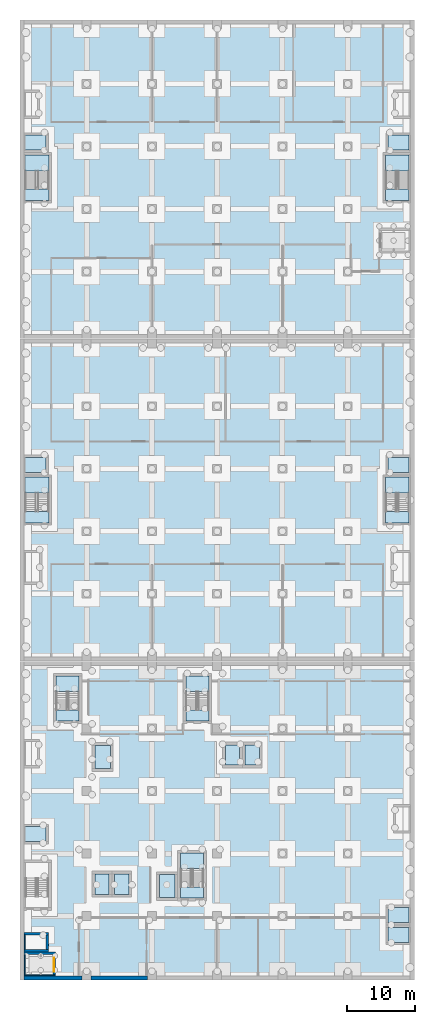
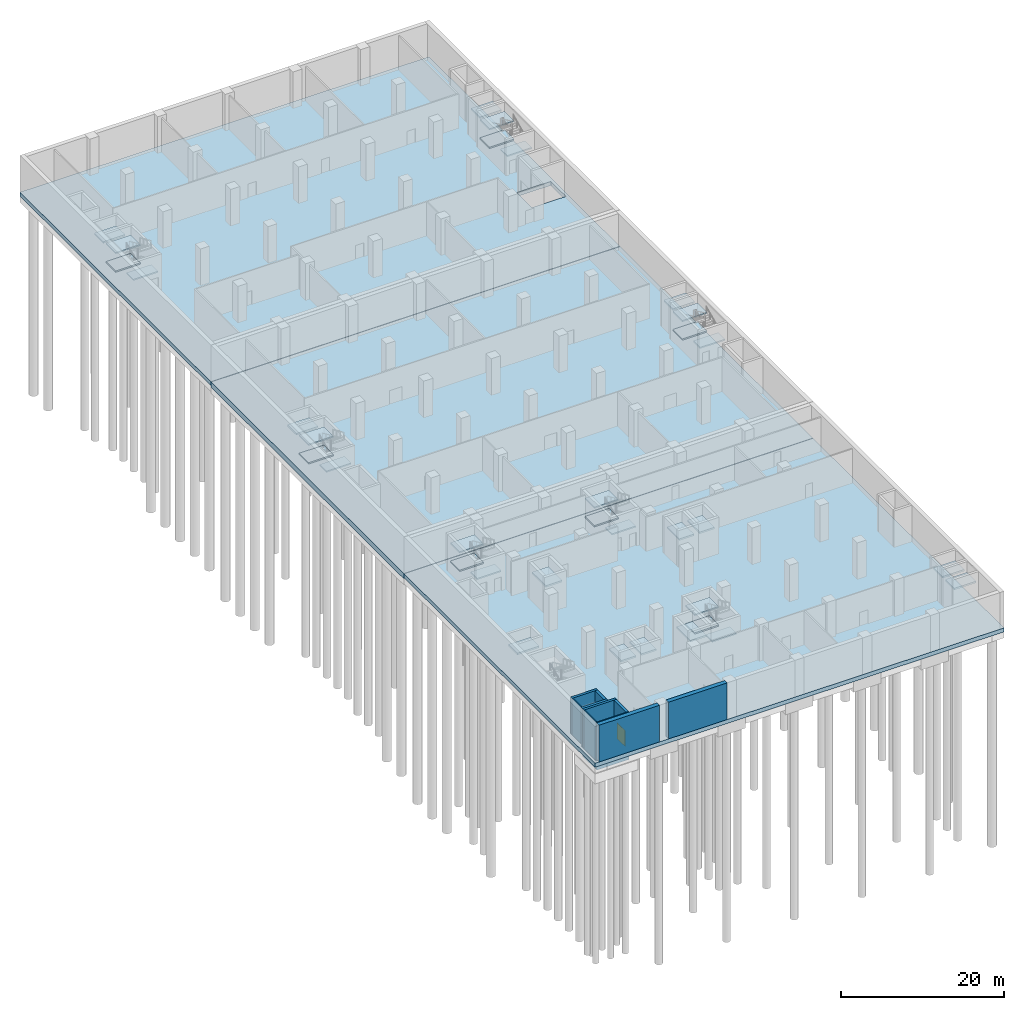
# One storey, part 9 of 33: 37 slabs, 10 walls, 1 door, 1 opening, 7 elements without a shape of their own.
"""IFC4 building model written with IfcOpenShell, lengths in metres."""

from ifc_helpers import new_model, si_unit, direction, frame, frame_2d, origin, place, context, subcontext, project, spatial, polyline, rectangle, outline, extrude, material, layer, layer_set, type_object, element, fill, aggregate, save


model = new_model("IFC4")

# Units and contexts
model_context = context("Model", 3, precision=1e-05, world=origin(), true_north=direction((0.0, 1.0)))
body_context = subcontext(model_context, "Body", "Model", "MODEL_VIEW")
ifc_project = project(units=[si_unit("LENGTHUNIT", "METRE"), si_unit("AREAUNIT", "SQUARE_METRE"), si_unit("VOLUMEUNIT", "CUBIC_METRE"), si_unit("PLANEANGLEUNIT", "RADIAN"), si_unit("MASSUNIT", "GRAM", prefix="KILO")], contexts=[model_context])

# Site, building, storey
site_placement = place(None, origin())
site = spatial("IfcSite", under=ifc_project, at=site_placement, CompositionType="ELEMENT")
building_placement = place(site_placement, origin())
building = spatial("IfcBuilding", under=site, at=building_placement, Name="Nzadi Deep Aquarium and Research Tower", CompositionType="ELEMENT")
storey_placement = place(building_placement, frame((0.0, 0.0, -5.5)))
storey = spatial("IfcBuildingStorey", under=building, at=storey_placement, Name="B1", CompositionType="ELEMENT", Elevation=-5.5)

# Stair, slabs
ifc_material_1 = material(Name="Concrete C35/45", Category="concrete")
stair_type = type_object("IfcStairType", Name="STAIR RETURN 3000", PredefinedType="NOTDEFINED", material=ifc_material_1)
stair_1_placement = place(storey_placement, origin())
stair_1 = element("IfcStair", 1, at=stair_1_placement, inside=storey, type_object=stair_type, Name="Stair ST-Z1-SE B1", PredefinedType="DOUBLE_RETURN_STAIR")
ifc_material_2 = material(Name="Concrete C35/45", Category="concrete")
ifc_layer_1 = layer(ifc_material_2, 0.199951171875)
ifc_layer_set_1 = layer_set([ifc_layer_1], Name="Concrete C35/45")
slab_type_1 = type_object("IfcSlabType", Name="LANDING 200", PredefinedType="LANDING", material=ifc_layer_set_1)
slab_1_placement = place(storey_placement, frame((0.0, 0.0, 1.175048828125)))
slab_1 = element("IfcSlab", 2, at=slab_1_placement, type_object=slab_type_1, Name="ST-Z1-SE landing 1", PredefinedType="LANDING", context=body_context, shape_type="SweptSolid", body=[
    extrude(outline(polyline([(23.39990234375, 16.169921875), (26.800048828125, 16.169921875), (26.800048828125, 18.449951171875), (23.39990234375, 18.449951171875), (23.39990234375, 16.169921875)])), origin(), (0.0, 0.0, 1.0), 0.199951171875),
])
slab_2_placement = place(storey_placement, frame((0.0, 0.0, 2.550048828125)))
slab_2 = element("IfcSlab", 3, at=slab_2_placement, type_object=slab_type_1, Name="ST-Z1-SE landing 2", PredefinedType="LANDING", context=body_context, shape_type="SweptSolid", body=[
    extrude(outline(polyline([(23.39990234375, 11.85009765625), (26.800048828125, 11.85009765625), (26.800048828125, 13.469970703125), (23.39990234375, 13.469970703125), (23.39990234375, 11.85009765625)])), origin(), (0.0, 0.0, 1.0), 0.199951171875),
])
slab_3_placement = place(storey_placement, frame((0.0, 0.0, 3.925048828125)))
slab_3 = element("IfcSlab", 4, at=slab_3_placement, type_object=slab_type_1, Name="ST-Z1-SE landing 3", PredefinedType="LANDING", context=body_context, shape_type="SweptSolid", body=[
    extrude(outline(polyline([(23.39990234375, 16.169921875), (26.800048828125, 16.169921875), (26.800048828125, 18.449951171875), (23.39990234375, 18.449951171875), (23.39990234375, 16.169921875)])), origin(), (0.0, 0.0, 1.0), 0.199951171875),
])
aggregate(stair_1, [slab_1, slab_2, slab_3])

stair_2_placement = place(storey_placement, origin())
stair_2 = element("IfcStair", 5, at=stair_2_placement, inside=storey, type_object=stair_type, Name="Stair ST-Z1-NW B1", PredefinedType="DOUBLE_RETURN_STAIR")
slab_4_placement = place(storey_placement, frame((0.0, 0.0, 1.175048828125)))
slab_4 = element("IfcSlab", 6, at=slab_4_placement, type_object=slab_type_1, Name="ST-Z1-NW landing 1", PredefinedType="LANDING", context=body_context, shape_type="SweptSolid", body=[
    extrude(outline(polyline([(5.10009765625, 42.219970703125), (8.5, 42.219970703125), (8.5, 44.5), (5.10009765625, 44.5), (5.10009765625, 42.219970703125)])), origin(), (0.0, 0.0, 1.0), 0.199951171875),
])
slab_5_placement = place(storey_placement, frame((0.0, 0.0, 2.550048828125)))
slab_5 = element("IfcSlab", 7, at=slab_5_placement, type_object=slab_type_1, Name="ST-Z1-NW landing 2", PredefinedType="LANDING", context=body_context, shape_type="SweptSolid", body=[
    extrude(outline(polyline([(5.10009765625, 37.89990234375), (8.5, 37.89990234375), (8.5, 39.52001953125), (5.10009765625, 39.52001953125), (5.10009765625, 37.89990234375)])), origin(), (0.0, 0.0, 1.0), 0.199951171875),
])
slab_6_placement = place(storey_placement, frame((0.0, 0.0, 3.925048828125)))
slab_6 = element("IfcSlab", 8, at=slab_6_placement, type_object=slab_type_1, Name="ST-Z1-NW landing 3", PredefinedType="LANDING", context=body_context, shape_type="SweptSolid", body=[
    extrude(outline(polyline([(5.10009765625, 42.219970703125), (8.5, 42.219970703125), (8.5, 44.5), (5.10009765625, 44.5), (5.10009765625, 42.219970703125)])), origin(), (0.0, 0.0, 1.0), 0.199951171875),
])
aggregate(stair_2, [slab_4, slab_5, slab_6])

stair_3_placement = place(storey_placement, origin())
stair_3 = element("IfcStair", 9, at=stair_3_placement, inside=storey, type_object=stair_type, Name="Stair ST-Z1-NE B1", PredefinedType="DOUBLE_RETURN_STAIR")
slab_7_placement = place(storey_placement, frame((0.0, 0.0, 1.175048828125)))
slab_7 = element("IfcSlab", 10, at=slab_7_placement, type_object=slab_type_1, Name="ST-Z1-NE landing 1", PredefinedType="LANDING", context=body_context, shape_type="SweptSolid", body=[
    extrude(outline(polyline([(24.199951171875, 42.219970703125), (27.60009765625, 42.219970703125), (27.60009765625, 44.5), (24.199951171875, 44.5), (24.199951171875, 42.219970703125)])), origin(), (0.0, 0.0, 1.0), 0.199951171875),
])
slab_8_placement = place(storey_placement, frame((0.0, 0.0, 2.550048828125)))
slab_8 = element("IfcSlab", 11, at=slab_8_placement, type_object=slab_type_1, Name="ST-Z1-NE landing 2", PredefinedType="LANDING", context=body_context, shape_type="SweptSolid", body=[
    extrude(outline(polyline([(24.199951171875, 37.89990234375), (27.60009765625, 37.89990234375), (27.60009765625, 39.52001953125), (24.199951171875, 39.52001953125), (24.199951171875, 37.89990234375)])), origin(), (0.0, 0.0, 1.0), 0.199951171875),
])
slab_9_placement = place(storey_placement, frame((0.0, 0.0, 3.925048828125)))
slab_9 = element("IfcSlab", 12, at=slab_9_placement, type_object=slab_type_1, Name="ST-Z1-NE landing 3", PredefinedType="LANDING", context=body_context, shape_type="SweptSolid", body=[
    extrude(outline(polyline([(24.199951171875, 42.219970703125), (27.60009765625, 42.219970703125), (27.60009765625, 44.5), (24.199951171875, 44.5), (24.199951171875, 42.219970703125)])), origin(), (0.0, 0.0, 1.0), 0.199951171875),
])
aggregate(stair_3, [slab_7, slab_8, slab_9])

stair_4_placement = place(storey_placement, origin())
stair_4 = element("IfcStair", 13, at=stair_4_placement, inside=storey, type_object=stair_type, Name="Stair ST-Z2-W B1", PredefinedType="DOUBLE_RETURN_STAIR")
slab_10_placement = place(storey_placement, frame((0.0, 0.0, 1.175048828125)))
slab_10 = element("IfcSlab", 14, at=slab_10_placement, type_object=slab_type_1, Name="ST-Z2-W landing 1", PredefinedType="LANDING", context=body_context, shape_type="SweptSolid", body=[
    extrude(outline(polyline([(0.550048828125, 71.409912109375), (4.050048828125, 71.409912109375), (4.050048828125, 73.75), (0.550048828125, 73.75), (0.550048828125, 71.409912109375)])), origin(), (0.0, 0.0, 1.0), 0.199951171875),
])
slab_11_placement = place(storey_placement, frame((0.0, 0.0, 2.550048828125)))
slab_11 = element("IfcSlab", 15, at=slab_11_placement, type_object=slab_type_1, Name="ST-Z2-W landing 2", PredefinedType="LANDING", context=body_context, shape_type="SweptSolid", body=[
    extrude(outline(polyline([(0.550048828125, 67.050048828125), (4.050048828125, 67.050048828125), (4.050048828125, 68.7099609375), (0.550048828125, 68.7099609375), (0.550048828125, 67.050048828125)])), origin(), (0.0, 0.0, 1.0), 0.199951171875),
])
slab_12_placement = place(storey_placement, frame((0.0, 0.0, 3.925048828125)))
slab_12 = element("IfcSlab", 16, at=slab_12_placement, type_object=slab_type_1, Name="ST-Z2-W landing 3", PredefinedType="LANDING", context=body_context, shape_type="SweptSolid", body=[
    extrude(outline(polyline([(0.550048828125, 71.409912109375), (4.050048828125, 71.409912109375), (4.050048828125, 73.75), (0.550048828125, 73.75), (0.550048828125, 71.409912109375)])), origin(), (0.0, 0.0, 1.0), 0.199951171875),
])
aggregate(stair_4, [slab_10, slab_11, slab_12])

stair_5_placement = place(storey_placement, origin())
stair_5 = element("IfcStair", 17, at=stair_5_placement, inside=storey, type_object=stair_type, Name="Stair ST-Z2-E B1", PredefinedType="DOUBLE_RETURN_STAIR")
slab_13_placement = place(storey_placement, frame((0.0, 0.0, 1.175048828125)))
slab_13 = element("IfcSlab", 18, at=slab_13_placement, type_object=slab_type_1, Name="ST-Z2-E landing 1", PredefinedType="LANDING", context=body_context, shape_type="SweptSolid", body=[
    extrude(outline(polyline([(57.050048828125, 73.75), (53.550048828125, 73.75), (53.550048828125, 71.409912109375), (57.050048828125, 71.409912109375), (57.050048828125, 73.75)])), origin(), (0.0, 0.0, 1.0), 0.199951171875),
])
slab_14_placement = place(storey_placement, frame((0.0, 0.0, 2.550048828125)))
slab_14 = element("IfcSlab", 19, at=slab_14_placement, type_object=slab_type_1, Name="ST-Z2-E landing 2", PredefinedType="LANDING", context=body_context, shape_type="SweptSolid", body=[
    extrude(outline(polyline([(57.050048828125, 68.7099609375), (53.550048828125, 68.7099609375), (53.550048828125, 67.050048828125), (57.050048828125, 67.050048828125), (57.050048828125, 68.7099609375)])), origin(), (0.0, 0.0, 1.0), 0.199951171875),
])
slab_15_placement = place(storey_placement, frame((0.0, 0.0, 3.925048828125)))
slab_15 = element("IfcSlab", 20, at=slab_15_placement, type_object=slab_type_1, Name="ST-Z2-E landing 3", PredefinedType="LANDING", context=body_context, shape_type="SweptSolid", body=[
    extrude(outline(polyline([(57.050048828125, 73.75), (53.550048828125, 73.75), (53.550048828125, 71.409912109375), (57.050048828125, 71.409912109375), (57.050048828125, 73.75)])), origin(), (0.0, 0.0, 1.0), 0.199951171875),
])
aggregate(stair_5, [slab_13, slab_14, slab_15])

stair_6_placement = place(storey_placement, origin())
stair_6 = element("IfcStair", 21, at=stair_6_placement, inside=storey, type_object=stair_type, Name="Stair ST-Z3-W B1", PredefinedType="DOUBLE_RETURN_STAIR")
slab_16_placement = place(storey_placement, frame((0.0, 0.0, 1.175048828125)))
slab_16 = element("IfcSlab", 22, at=slab_16_placement, type_object=slab_type_1, Name="ST-Z3-W landing 1", PredefinedType="LANDING", context=body_context, shape_type="SweptSolid", body=[
    extrude(outline(polyline([(0.550048828125, 118.81005859375), (4.050048828125, 118.81005859375), (4.050048828125, 121.14990234375), (0.550048828125, 121.14990234375), (0.550048828125, 118.81005859375)])), origin(), (0.0, 0.0, 1.0), 0.199951171875),
])
slab_17_placement = place(storey_placement, frame((0.0, 0.0, 2.550048828125)))
slab_17 = element("IfcSlab", 23, at=slab_17_placement, type_object=slab_type_1, Name="ST-Z3-W landing 2", PredefinedType="LANDING", context=body_context, shape_type="SweptSolid", body=[
    extrude(outline(polyline([(0.550048828125, 114.449951171875), (4.050048828125, 114.449951171875), (4.050048828125, 116.110107421875), (0.550048828125, 116.110107421875), (0.550048828125, 114.449951171875)])), origin(), (0.0, 0.0, 1.0), 0.199951171875),
])
slab_18_placement = place(storey_placement, frame((0.0, 0.0, 3.925048828125)))
slab_18 = element("IfcSlab", 24, at=slab_18_placement, type_object=slab_type_1, Name="ST-Z3-W landing 3", PredefinedType="LANDING", context=body_context, shape_type="SweptSolid", body=[
    extrude(outline(polyline([(0.550048828125, 118.81005859375), (4.050048828125, 118.81005859375), (4.050048828125, 121.14990234375), (0.550048828125, 121.14990234375), (0.550048828125, 118.81005859375)])), origin(), (0.0, 0.0, 1.0), 0.199951171875),
])
aggregate(stair_6, [slab_16, slab_17, slab_18])

stair_7_placement = place(storey_placement, origin())
stair_7 = element("IfcStair", 25, at=stair_7_placement, inside=storey, type_object=stair_type, Name="Stair ST-Z3-E B1", PredefinedType="DOUBLE_RETURN_STAIR")
slab_19_placement = place(storey_placement, frame((0.0, 0.0, 1.175048828125)))
slab_19 = element("IfcSlab", 26, at=slab_19_placement, type_object=slab_type_1, Name="ST-Z3-E landing 1", PredefinedType="LANDING", context=body_context, shape_type="SweptSolid", body=[
    extrude(outline(polyline([(57.050048828125, 121.14990234375), (53.550048828125, 121.14990234375), (53.550048828125, 118.81005859375), (57.050048828125, 118.81005859375), (57.050048828125, 121.14990234375)])), origin(), (0.0, 0.0, 1.0), 0.199951171875),
])
slab_20_placement = place(storey_placement, frame((0.0, 0.0, 2.550048828125)))
slab_20 = element("IfcSlab", 27, at=slab_20_placement, type_object=slab_type_1, Name="ST-Z3-E landing 2", PredefinedType="LANDING", context=body_context, shape_type="SweptSolid", body=[
    extrude(outline(polyline([(57.050048828125, 116.110107421875), (53.550048828125, 116.110107421875), (53.550048828125, 114.449951171875), (57.050048828125, 114.449951171875), (57.050048828125, 116.110107421875)])), origin(), (0.0, 0.0, 1.0), 0.199951171875),
])
slab_21_placement = place(storey_placement, frame((0.0, 0.0, 3.925048828125)))
slab_21 = element("IfcSlab", 28, at=slab_21_placement, type_object=slab_type_1, Name="ST-Z3-E landing 3", PredefinedType="LANDING", context=body_context, shape_type="SweptSolid", body=[
    extrude(outline(polyline([(57.050048828125, 121.14990234375), (53.550048828125, 121.14990234375), (53.550048828125, 118.81005859375), (57.050048828125, 118.81005859375), (57.050048828125, 121.14990234375)])), origin(), (0.0, 0.0, 1.0), 0.199951171875),
])
aggregate(stair_7, [slab_19, slab_20, slab_21])

# Slabs
ifc_material_3 = material(Name="Concrete C35/45", Category="concrete")
ifc_layer_2 = layer(ifc_material_3, 0.60009765625)
ifc_layer_set_2 = layer_set([ifc_layer_2], Name="Concrete C35/45")
slab_type_2 = type_object("IfcSlabType", Name="RC base slab 600", PredefinedType="BASESLAB", material=ifc_layer_set_2)
slab_22_placement = place(storey_placement, frame((0.0, 0.0, -0.60009765625)))
element("IfcSlab", 29, at=slab_22_placement, inside=storey, type_object=slab_type_2, Name="Base slab Z1", PredefinedType="BASESLAB", context=body_context, shape_type="SweptSolid", body=[
    extrude(outline(polyline([(-0.199462890625, -0.199951171875), (57.799560546875, -0.199951171875), (57.799560546875, 46.679931640625), (-0.199462890625, 46.679931640625), (-0.199462890625, -0.199951171875)]), holes=[polyline([(5.0, 3.89990234375), (5.0, 0.199951171875), (0.199951171875, 0.199951171875), (0.199951171875, 3.89990234375), (5.0, 3.89990234375)])]), origin(), (0.0, 0.0, 1.0), 0.60009765625),
])
slab_23_placement = place(storey_placement, frame((0.0, 0.0, -0.60009765625)))
element("IfcSlab", 30, at=slab_23_placement, inside=storey, type_object=slab_type_2, Name="Base slab Z3", PredefinedType="BASESLAB", context=body_context, shape_type="SweptSolid", body=[
    extrude(outline(polyline([(-0.199462890625, 94.1201171875), (57.799560546875, 94.1201171875), (57.799560546875, 141.0), (-0.199462890625, 141.0), (-0.199462890625, 94.1201171875)]), holes=[polyline([(57.39990234375, 110.39990234375), (57.39990234375, 106.699951171875), (52.60009765625, 106.699951171875), (52.60009765625, 110.39990234375), (57.39990234375, 110.39990234375)])]), origin(), (0.0, 0.0, 1.0), 0.60009765625),
])
ifc_material_4 = material(Name="Concrete C35/45", Category="concrete")
ifc_layer_3 = layer(ifc_material_4, 0.800048828125)
ifc_layer_set_3 = layer_set([ifc_layer_3], Name="Concrete C35/45")
slab_type_3 = type_object("IfcSlabType", Name="RC base slab 800", PredefinedType="BASESLAB", material=ifc_layer_set_3)
slab_24_placement = place(storey_placement, frame((0.0, 0.0, -0.800048828125)))
element("IfcSlab", 31, at=slab_24_placement, inside=storey, type_object=slab_type_3, Name="Base slab Z2", PredefinedType="BASESLAB", context=body_context, shape_type="SweptSolid", body=[
    extrude(outline(polyline([(57.799560546875, 46.719970703125), (57.799560546875, 94.080078125), (-0.199462890625, 94.080078125), (-0.199462890625, 46.719970703125), (57.799560546875, 46.719970703125)])), origin(), (0.0, 0.0, 1.0), 0.800048828125),
])
ifc_material_5 = material(Name="Concrete C35/45", Category="concrete")
ifc_layer_4 = layer(ifc_material_5, 0.25)
ifc_layer_set_4 = layer_set([ifc_layer_4], Name="Concrete C35/45")
slab_type_4 = type_object("IfcSlabType", Name="RC floor slab 250", PredefinedType="FLOOR", material=ifc_layer_set_4)
slab_25_placement = place(storey_placement, frame((0.0, 0.0, 3.64990234375)))
element("IfcSlab", 32, at=slab_25_placement, inside=storey, type_object=slab_type_4, Name="Lift pit slab PL1", PredefinedType="FLOOR", context=body_context, shape_type="SweptSolid", body=[
    extrude(outline(polyline([(0.550048828125, 20.14990234375), (3.64990234375, 20.14990234375), (3.64990234375, 22.35009765625), (0.550048828125, 22.35009765625), (0.550048828125, 20.14990234375)])), origin(), (0.0, 0.0, 1.0), 0.25),
])
slab_26_placement = place(storey_placement, frame((0.0, 0.0, 3.64990234375)))
element("IfcSlab", 33, at=slab_26_placement, inside=storey, type_object=slab_type_4, Name="Lift pit slab EL2", PredefinedType="FLOOR", context=body_context, shape_type="SweptSolid", body=[
    extrude(outline(polyline([(53.949951171875, 5.35009765625), (57.050048828125, 5.35009765625), (57.050048828125, 7.550048828125), (53.949951171875, 7.550048828125), (53.949951171875, 5.35009765625)])), origin(), (0.0, 0.0, 1.0), 0.25),
])
slab_27_placement = place(storey_placement, frame((0.0, 0.0, 3.64990234375)))
element("IfcSlab", 34, at=slab_27_placement, inside=storey, type_object=slab_type_4, Name="Lift pit slab PL2", PredefinedType="FLOOR", context=body_context, shape_type="SweptSolid", body=[
    extrude(outline(polyline([(53.949951171875, 8.25), (57.050048828125, 8.25), (57.050048828125, 10.449951171875), (53.949951171875, 10.449951171875), (53.949951171875, 8.25)])), origin(), (0.0, 0.0, 1.0), 0.25),
])
slab_28_placement = place(storey_placement, frame((0.0, 0.0, 3.64990234375)))
element("IfcSlab", 35, at=slab_28_placement, inside=storey, type_object=slab_type_4, Name="Lift pit slab TL1", PredefinedType="FLOOR", context=body_context, shape_type="SweptSolid", body=[
    extrude(outline(polyline([(10.800048828125, 12.39990234375), (12.89990234375, 12.39990234375), (12.89990234375, 15.39990234375), (10.800048828125, 15.39990234375), (10.800048828125, 12.39990234375)])), origin(), (0.0, 0.0, 1.0), 0.25),
])
slab_29_placement = place(storey_placement, frame((0.0, 0.0, 3.64990234375)))
element("IfcSlab", 36, at=slab_29_placement, inside=storey, type_object=slab_type_4, Name="Lift pit slab TL2", PredefinedType="FLOOR", context=body_context, shape_type="SweptSolid", body=[
    extrude(outline(polyline([(13.699951171875, 12.39990234375), (15.800048828125, 12.39990234375), (15.800048828125, 15.39990234375), (13.699951171875, 15.39990234375), (13.699951171875, 12.39990234375)])), origin(), (0.0, 0.0, 1.0), 0.25),
])
slab_30_placement = place(storey_placement, frame((0.0, 0.0, 3.64990234375)))
element("IfcSlab", 37, at=slab_30_placement, inside=storey, type_object=slab_type_4, Name="Lift pit slab FL1", PredefinedType="FLOOR", context=body_context, shape_type="SweptSolid", body=[
    extrude(outline(polyline([(20.300048828125, 11.89990234375), (22.60009765625, 11.89990234375), (22.60009765625, 15.300048828125), (20.300048828125, 15.300048828125), (20.300048828125, 11.89990234375)])), origin(), (0.0, 0.0, 1.0), 0.25),
])
slab_31_placement = place(storey_placement, frame((0.0, 0.0, 3.64990234375)))
element("IfcSlab", 38, at=slab_31_placement, inside=storey, type_object=slab_type_4, Name="Lift pit slab FL2", PredefinedType="FLOOR", context=body_context, shape_type="SweptSolid", body=[
    extrude(outline(polyline([(10.800048828125, 30.89990234375), (13.10009765625, 30.89990234375), (13.10009765625, 34.300048828125), (10.800048828125, 34.300048828125), (10.800048828125, 30.89990234375)])), origin(), (0.0, 0.0, 1.0), 0.25),
])
slab_32_placement = place(storey_placement, frame((0.0, 0.0, 3.64990234375)))
element("IfcSlab", 39, at=slab_32_placement, inside=storey, type_object=slab_type_4, Name="Lift pit slab TL3", PredefinedType="FLOOR", context=body_context, shape_type="SweptSolid", body=[
    extrude(outline(polyline([(30.0, 31.39990234375), (32.10009765625, 31.39990234375), (32.10009765625, 34.39990234375), (30.0, 34.39990234375), (30.0, 31.39990234375)])), origin(), (0.0, 0.0, 1.0), 0.25),
])
slab_33_placement = place(storey_placement, frame((0.0, 0.0, 3.64990234375)))
element("IfcSlab", 40, at=slab_33_placement, inside=storey, type_object=slab_type_4, Name="Lift pit slab TL4", PredefinedType="FLOOR", context=body_context, shape_type="SweptSolid", body=[
    extrude(outline(polyline([(32.89990234375, 31.39990234375), (35.0, 31.39990234375), (35.0, 34.39990234375), (32.89990234375, 34.39990234375), (32.89990234375, 31.39990234375)])), origin(), (0.0, 0.0, 1.0), 0.25),
])
slab_34_placement = place(storey_placement, frame((0.0, 0.0, 3.64990234375)))
element("IfcSlab", 41, at=slab_34_placement, inside=storey, type_object=slab_type_4, Name="Lift pit slab PL3", PredefinedType="FLOOR", context=body_context, shape_type="SweptSolid", body=[
    extrude(outline(polyline([(0.550048828125, 74.449951171875), (3.64990234375, 74.449951171875), (3.64990234375, 76.64990234375), (0.550048828125, 76.64990234375), (0.550048828125, 74.449951171875)])), origin(), (0.0, 0.0, 1.0), 0.25),
])
slab_35_placement = place(storey_placement, frame((0.0, 0.0, 3.64990234375)))
element("IfcSlab", 42, at=slab_35_placement, inside=storey, type_object=slab_type_4, Name="Lift pit slab PL4", PredefinedType="FLOOR", context=body_context, shape_type="SweptSolid", body=[
    extrude(outline(polyline([(53.949951171875, 74.449951171875), (57.050048828125, 74.449951171875), (57.050048828125, 76.64990234375), (53.949951171875, 76.64990234375), (53.949951171875, 74.449951171875)])), origin(), (0.0, 0.0, 1.0), 0.25),
])
slab_36_placement = place(storey_placement, frame((0.0, 0.0, 3.64990234375)))
element("IfcSlab", 43, at=slab_36_placement, inside=storey, type_object=slab_type_4, Name="Lift pit slab PL5", PredefinedType="FLOOR", context=body_context, shape_type="SweptSolid", body=[
    extrude(outline(polyline([(0.550048828125, 121.85009765625), (3.64990234375, 121.85009765625), (3.64990234375, 124.050048828125), (0.550048828125, 124.050048828125), (0.550048828125, 121.85009765625)])), origin(), (0.0, 0.0, 1.0), 0.25),
])
slab_37_placement = place(storey_placement, frame((0.0, 0.0, 3.64990234375)))
element("IfcSlab", 44, at=slab_37_placement, inside=storey, type_object=slab_type_4, Name="Lift pit slab PL6", PredefinedType="FLOOR", context=body_context, shape_type="SweptSolid", body=[
    extrude(outline(polyline([(53.949951171875, 121.85009765625), (57.050048828125, 121.85009765625), (57.050048828125, 124.050048828125), (53.949951171875, 124.050048828125), (53.949951171875, 121.85009765625)])), origin(), (0.0, 0.0, 1.0), 0.25),
])

# Walls
ifc_material_6 = material(Name="Concrete C35/45", Category="concrete")
ifc_layer_5 = layer(ifc_material_6, 0.14990234375)
ifc_layer_set_5 = layer_set([ifc_layer_5], Name="Concrete C35/45")
wall_type_1 = type_object("IfcWallType", Name="RC core wall 150", PredefinedType="SHEAR", material=ifc_layer_set_5)
wall_1_placement = place(storey_placement, frame((0.47509765625, 4.25, 0.0), z_axis=(0.0, 0.0, 1.0), x_axis=(0.0, 1.0, 0.0)))
element("IfcWall", 45, at=wall_1_placement, inside=storey, type_object=wall_type_1, Name="W-CORE-EL1-B1-W", PredefinedType="SHEAR", context=body_context, shape_type="SweptSolid", body=[
    extrude(rectangle(XDim=2.199951171875, YDim=0.14990234375, at=frame_2d((1.10009765625, 0.0))), origin(), (0.0, 0.0, 1.0), 5.5),
])
ifc_material_7 = material(Name="Concrete C35/45", Category="concrete")
ifc_layer_6 = layer(ifc_material_7, 0.14990234375)
ifc_layer_set_6 = layer_set([ifc_layer_6], Name="Concrete C35/45")
wall_type_2 = type_object("IfcWallType", Name="RC core wall 150, 7.10 m high, base -1.60 m", PredefinedType="SHEAR", material=ifc_layer_set_6)
wall_2_placement = place(storey_placement, frame((0.39990234375, 0.47509765625, -1.60009765625), z_axis=(0.0, 0.0, 1.0), x_axis=(1.0, 0.0, 0.0)))
element("IfcWall", 46, at=wall_2_placement, inside=storey, type_object=wall_type_2, Name="W-CORE-GL1-B1-S", PredefinedType="SHEAR", context=body_context, shape_type="SweptSolid", body=[
    extrude(rectangle(XDim=4.60009765625, YDim=0.14990234375, at=frame_2d((2.300048828125, 0.0))), origin(), (0.0, 0.0, 1.0), 7.10009765625),
])
wall_3_placement = place(storey_placement, frame((0.47509765625, 0.550048828125, -1.60009765625), z_axis=(0.0, 0.0, 1.0), x_axis=(0.0, 1.0, 0.0)))
element("IfcWall", 47, at=wall_3_placement, inside=storey, type_object=wall_type_2, Name="W-CORE-GL1-B1-W", PredefinedType="SHEAR", context=body_context, shape_type="SweptSolid", body=[
    extrude(rectangle(XDim=3.0, YDim=0.14990234375, at=frame_2d((1.5, 0.0))), origin(), (0.0, 0.0, 1.0), 7.10009765625),
])
ifc_material_8 = material(Name="Concrete C35/45", Category="concrete")
ifc_layer_7 = layer(ifc_material_8, 0.35009765625)
ifc_layer_set_7 = layer_set([ifc_layer_7], Name="Concrete C35/45")
wall_type_3 = type_object("IfcWallType", Name="RC core wall 350, 5.50 to 6.50 m high", PredefinedType="SHEAR", material=ifc_layer_set_7)
for number, where, z_axis, x_axis, name in (
    (48, (0.39990234375, 4.074951171875, 0.0), (0.0, 0.0, 1.0), (1.0, 0.0, 0.0), "W-CORE-EL1-B1-S"),
    (49, (0.39990234375, 6.625, 0.0), (0.0, 0.0, 1.0), (1.0, 0.0, 0.0), "W-CORE-EL1-B1-N"),
):
    element("IfcWall", number, at=place(storey_placement, frame(where, z_axis=z_axis, x_axis=x_axis)), inside=storey, type_object=wall_type_3, Name=name, PredefinedType="SHEAR", context=body_context, shape_type="SweptSolid", body=[
        extrude(rectangle(XDim=3.60009765625, YDim=0.35009765625, at=frame_2d((1.800048828125, 0.0))), origin(), (0.0, 0.0, 1.0), 5.5),
    ])
wall_4_placement = place(storey_placement, frame((3.824951171875, 4.25, 0.0), z_axis=(0.0, 0.0, 1.0), x_axis=(0.0, 1.0, 0.0)))
element("IfcWall", 50, at=wall_4_placement, inside=storey, type_object=wall_type_3, Name="W-CORE-EL1-B1-E", PredefinedType="SHEAR", context=body_context, shape_type="SweptSolid", body=[
    extrude(rectangle(XDim=2.199951171875, YDim=0.35009765625, at=frame_2d((1.10009765625, 0.0))), origin(), (0.0, 0.0, 1.0), 5.5),
])
ifc_material_9 = material(Name="Concrete C35/45", Category="concrete")
ifc_layer_8 = layer(ifc_material_9, 0.35009765625)
ifc_layer_set_8 = layer_set([ifc_layer_8], Name="Concrete C35/45")
wall_type_4 = type_object("IfcWallType", Name="RC core wall 350, 7.10 m high, base -1.60 m", PredefinedType="SHEAR", material=ifc_layer_set_8)
wall_5_placement = place(storey_placement, frame((0.39990234375, 3.72509765625, -1.60009765625), z_axis=(0.0, 0.0, 1.0), x_axis=(1.0, 0.0, 0.0)))
element("IfcWall", 51, at=wall_5_placement, inside=storey, type_object=wall_type_4, Name="W-CORE-GL1-B1-N", PredefinedType="SHEAR", context=body_context, shape_type="SweptSolid", body=[
    extrude(rectangle(XDim=4.60009765625, YDim=0.35009765625, at=frame_2d((2.300048828125, 0.0))), origin(), (0.0, 0.0, 1.0), 7.10009765625),
])

# Wall, opening, door
wall_6_placement = place(storey_placement, frame((4.824951171875, 0.550048828125, -1.60009765625), z_axis=(0.0, 0.0, 1.0), x_axis=(0.0, 1.0, 0.0)))
wall_6 = element("IfcWall", 52, at=wall_6_placement, inside=storey, type_object=wall_type_4, Name="W-CORE-GL1-B1-E", PredefinedType="SHEAR", context=body_context, shape_type="SweptSolid", body=[
    extrude(rectangle(XDim=3.0, YDim=0.35009765625, at=frame_2d((1.5, 0.0))), origin(), (0.0, 0.0, 1.0), 7.10009765625),
])
opening_placement = place(wall_6_placement, frame((0.5, 0.0, 1.60009765625)))
opening = element("IfcOpeningElement", 53, at=opening_placement, cuts=wall_6, Name="Opening LD-GL1-B1", PredefinedType="OPENING", context=body_context, shape_type="SweptSolid", body=[
    extrude(rectangle(XDim=2.0, YDim=2.39990234375, at=frame_2d((1.0, 1.199951171875))), frame((0.0, 0.18505859375, 0.0), z_axis=(0.0, -1.0, 0.0), x_axis=(1.0, 0.0, 0.0)), (0.0, 0.0, 1.0), 0.3701171875),
])
ifc_material_10 = material(Name="Stainless steel 1.4301", Category="steel")
door_type = type_object("IfcDoorType", Name="LANDING DOOR 2000x2400", OperationType="DOUBLE_DOOR_SLIDING", PredefinedType="DOOR", material=ifc_material_10)
door_placement = place(opening_placement, origin())
door = element("IfcDoor", 54, at=door_placement, inside=storey, type_object=door_type, Name="Landing door GL1 B1", OperationType="DOUBLE_DOOR_SLIDING", OverallHeight=2.39990234375, OverallWidth=2.0, PredefinedType="DOOR", context=body_context, shape_type="SweptSolid", body=[
    extrude(rectangle(XDim=2.0, YDim=2.39990234375, at=frame_2d((1.0, 1.199951171875))), frame((0.0, 0.02490234375, 0.0), z_axis=(0.0, -1.0, 0.0), x_axis=(1.0, 0.0, 0.0)), (0.0, 0.0, 1.0), 0.050048828125),
])
fill(opening, door)

# Walls
ifc_material_11 = material(Name="Concrete C40/50", Category="concrete")
ifc_layer_9 = layer(ifc_material_11, 0.60009765625)
ifc_layer_set_9 = layer_set([ifc_layer_9], Name="Concrete C40/50")
wall_type_5 = type_object("IfcWallType", Name="RC retaining wall 600 C40/50", PredefinedType="SOLIDWALL", material=ifc_layer_set_9)
wall_7_placement = place(storey_placement, frame((0.39990234375, 0.10009765625, 0.0), z_axis=(0.0, 0.0, 1.0), x_axis=(1.0, 0.0, 0.0)))
element("IfcWall", 55, at=wall_7_placement, inside=storey, type_object=wall_type_5, Name="W-RET-Z1-S-1", PredefinedType="SOLIDWALL", context=body_context, shape_type="SweptSolid", body=[
    extrude(rectangle(XDim=8.550048828125, YDim=0.60009765625, at=frame_2d((4.27490234375, 0.0))), origin(), (0.0, 0.0, 1.0), 5.5),
])
wall_8_placement = place(storey_placement, frame((10.25, 0.10009765625, 0.0), z_axis=(0.0, 0.0, 1.0), x_axis=(1.0, 0.0, 0.0)))
element("IfcWall", 56, at=wall_8_placement, inside=storey, type_object=wall_type_5, Name="W-RET-Z1-S-2", PredefinedType="SOLIDWALL", context=body_context, shape_type="SweptSolid", body=[
    extrude(rectangle(XDim=8.300048828125, YDim=0.60009765625, at=frame_2d((4.14990234375, 0.0))), origin(), (0.0, 0.0, 1.0), 5.5),
])

save(model, "model.ifc")
